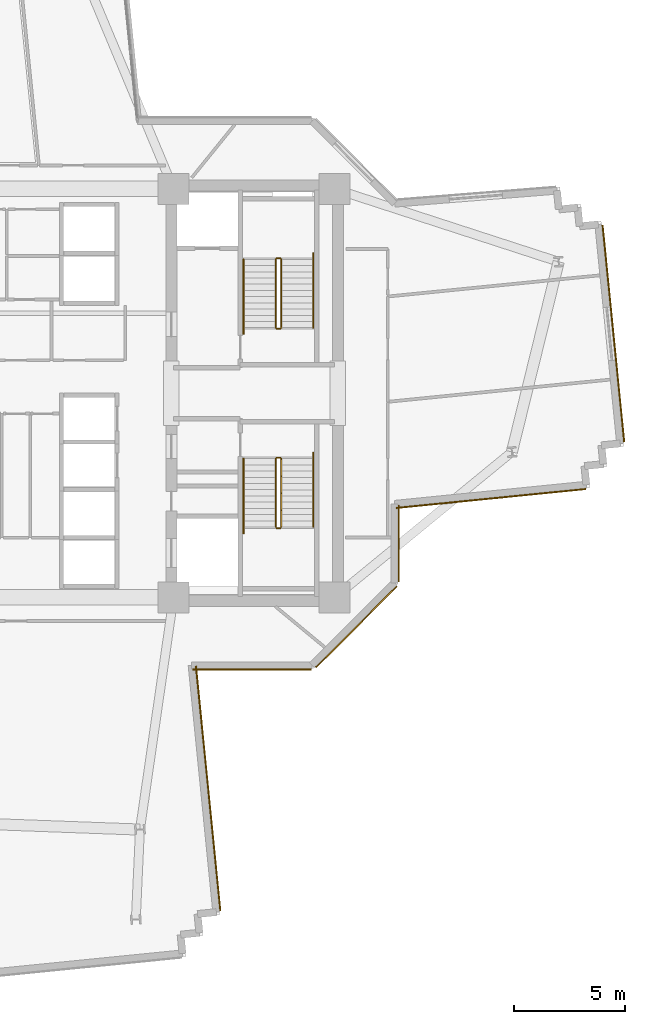
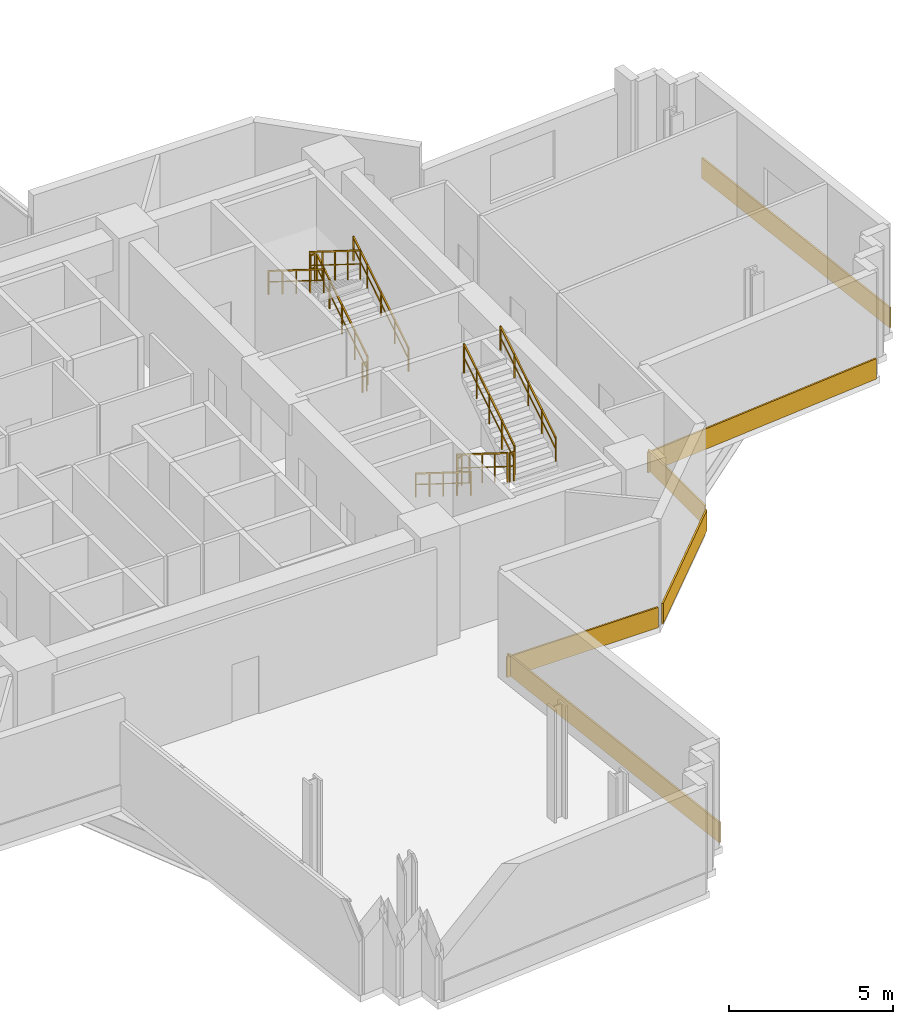
# One storey, part 13 of 14: 12 railings, 6 coverings.
"""IFC4 building model written with IfcOpenShell, lengths in metres."""

from ifc_helpers import new_model, si_unit, direction, frame, origin, origin_2d, place, context, subcontext, project, spatial, rectangle, extrude, source, transform, mapped, material, layer, layer_set, type_object, element, save


model = new_model("IFC4")

# Units and contexts
model_context = context("Model", 3, precision=1e-05, world=origin(), true_north=direction((0.0, 1.0)))
body_context = subcontext(model_context, "Body", "Model", "MODEL_VIEW")
ifc_project = project(units=[si_unit("LENGTHUNIT", "METRE"), si_unit("AREAUNIT", "SQUARE_METRE"), si_unit("VOLUMEUNIT", "CUBIC_METRE"), si_unit("PLANEANGLEUNIT", "RADIAN"), si_unit("MASSUNIT", "GRAM", prefix="KILO")], contexts=[model_context])

# Site, building, storey
site_placement = place(None, origin())
site = spatial("IfcSite", under=ifc_project, at=site_placement, CompositionType="ELEMENT")
building_placement = place(site_placement, origin())
building = spatial("IfcBuilding", under=site, at=building_placement, Name="Zahravan Cultural Tower", CompositionType="ELEMENT")
storey_placement = place(building_placement, frame((0.0, 0.0, 96.300048828125)))
storey = spatial("IfcBuildingStorey", under=building, at=storey_placement, Name="L21", CompositionType="ELEMENT", Elevation=96.300048828125)

# Railings
ifc_material_1 = material(Name="Steel ASTM A572 Grade 50", Category="steel")
railing_type_1 = type_object("IfcRailingType", Name="RL-STAIR-GRD1150", PredefinedType="BALUSTRADE", material=ifc_material_1)
railing_1_placement = place(storey_placement, frame((47.949951171875, 29.949951171875, 0.175048828125)))
element("IfcRailing", 1, at=railing_1_placement, inside=storey, type_object=railing_type_1, Name="L21 ST-E1 stair guard 1", PredefinedType="BALUSTRADE", context=body_context, shape_type="SweptSolid", body=[
    extrude(rectangle(XDim=0.05, YDim=0.05, at=origin_2d()), frame((0.0, 0.0, 1.0751953125), z_axis=(0.0, 0.848028513186, 0.529950602248), x_axis=(-1.0, 0.0, 0.0)), (0.0, 0.0, 1.0), 3.632080078125),
    extrude(rectangle(XDim=0.032, YDim=0.032, at=origin_2d()), frame((0.0, 0.0, 0.572021484375), z_axis=(0.0, 0.848028513186, 0.529950602248), x_axis=(-1.0, 0.0, 0.0)), (0.0, 0.0, 1.0), 3.632080078125),
    extrude(rectangle(XDim=0.04, YDim=0.04, at=origin_2d()), origin(), (0.0, 0.0, 1.0), 1.10009765625),
    extrude(rectangle(XDim=0.04, YDim=0.04, at=origin_2d()), frame((0.0, 0.77001953125, 0.481201171875)), (0.0, 0.0, 1.0), 1.10009765625),
    extrude(rectangle(XDim=0.04, YDim=0.04, at=origin_2d()), frame((0.0, 1.5400390625, 0.96240234375)), (0.0, 0.0, 1.0), 1.10009765625),
    extrude(rectangle(XDim=0.04, YDim=0.04, at=origin_2d()), frame((0.0, 2.31005859375, 1.443603515625)), (0.0, 0.0, 1.0), 1.10009765625),
    extrude(rectangle(XDim=0.04, YDim=0.04, at=origin_2d()), frame((0.0, 3.080078125, 1.9248046875)), (0.0, 0.0, 1.0), 1.10009765625),
])
railing_2_placement = place(storey_placement, frame((47.89990234375, 33.080078125, 2.099853515625)))
element("IfcRailing", 2, at=railing_2_placement, inside=storey, type_object=railing_type_1, Name="L21 ST-E1 stair guard 2", PredefinedType="BALUSTRADE", context=body_context, shape_type="SweptSolid", body=[
    extrude(rectangle(XDim=0.05, YDim=0.05, at=origin_2d()), frame((0.0, 0.0, 1.0751953125), z_axis=(-1.0, 0.0, 0.0), x_axis=(0.0, -1.0, 0.0)), (0.0, 0.0, 1.0), 0.14990234375),
    extrude(rectangle(XDim=0.032, YDim=0.032, at=origin_2d()), frame((0.0, 0.0, 0.572021484375), z_axis=(-1.0, 0.0, 0.0), x_axis=(0.0, -1.0, 0.0)), (0.0, 0.0, 1.0), 0.14990234375),
    extrude(rectangle(XDim=0.04, YDim=0.04, at=origin_2d()), origin(), (0.0, 0.0, 1.0), 1.10009765625),
    extrude(rectangle(XDim=0.04, YDim=0.04, at=origin_2d()), frame((-0.14990234375, 0.0, 0.0)), (0.0, 0.0, 1.0), 1.10009765625),
])
railing_3_placement = place(storey_placement, frame((47.699951171875, 33.030029296875, 2.27490234375)))
element("IfcRailing", 3, at=railing_3_placement, inside=storey, type_object=railing_type_1, Name="L21 ST-E1 stair guard 3", PredefinedType="BALUSTRADE", context=body_context, shape_type="SweptSolid", body=[
    extrude(rectangle(XDim=0.05, YDim=0.05, at=origin_2d()), frame((0.0, 0.0, 1.0751953125), z_axis=(0.0, -0.847998304005, 0.529998940003), x_axis=(1.0, 0.0, 0.0)), (0.0, 0.0, 1.0), 3.632080078125),
    extrude(rectangle(XDim=0.032, YDim=0.032, at=origin_2d()), frame((0.0, 0.0, 0.572021484375), z_axis=(0.0, -0.847998304005, 0.529998940003), x_axis=(1.0, 0.0, 0.0)), (0.0, 0.0, 1.0), 3.632080078125),
    extrude(rectangle(XDim=0.04, YDim=0.04, at=origin_2d()), origin(), (0.0, 0.0, 1.0), 1.10009765625),
    extrude(rectangle(XDim=0.04, YDim=0.04, at=origin_2d()), frame((0.0, -0.77001953125, 0.481201171875)), (0.0, 0.0, 1.0), 1.10009765625),
    extrude(rectangle(XDim=0.04, YDim=0.04, at=origin_2d()), frame((0.0, -1.5400390625, 0.96240234375)), (0.0, 0.0, 1.0), 1.10009765625),
    extrude(rectangle(XDim=0.04, YDim=0.04, at=origin_2d()), frame((0.0, -2.31005859375, 1.44384765625)), (0.0, 0.0, 1.0), 1.10009765625),
    extrude(rectangle(XDim=0.04, YDim=0.04, at=origin_2d()), frame((0.0, -3.080078125, 1.925048828125)), (0.0, 0.0, 1.0), 1.10009765625),
])
railing_4_placement = place(storey_placement, frame((47.89990234375, 29.89990234375, 0.0)))
element("IfcRailing", 4, at=railing_4_placement, inside=storey, type_object=railing_type_1, Name="L21 ST-E1 stair guard 4", PredefinedType="BALUSTRADE", context=body_context, shape_type="SweptSolid", body=[
    extrude(rectangle(XDim=0.05, YDim=0.05, at=origin_2d()), frame((0.0, 0.0, 1.0751953125), z_axis=(-1.0, 0.0, 0.0), x_axis=(0.0, -1.0, 0.0)), (0.0, 0.0, 1.0), 0.14990234375),
    extrude(rectangle(XDim=0.032, YDim=0.032, at=origin_2d()), frame((0.0, 0.0, 0.572021484375), z_axis=(-1.0, 0.0, 0.0), x_axis=(0.0, -1.0, 0.0)), (0.0, 0.0, 1.0), 0.14990234375),
    extrude(rectangle(XDim=0.04, YDim=0.04, at=origin_2d()), origin(), (0.0, 0.0, 1.0), 1.10009765625),
    extrude(rectangle(XDim=0.04, YDim=0.04, at=origin_2d()), frame((-0.14990234375, 0.0, 0.0)), (0.0, 0.0, 1.0), 1.10009765625),
])
railing_5_placement = place(storey_placement, frame((47.699951171875, 24.050048828125, 0.175048828125)))
element("IfcRailing", 5, at=railing_5_placement, inside=storey, type_object=railing_type_1, Name="L21 ST-E2 stair guard 1", PredefinedType="BALUSTRADE", context=body_context, shape_type="SweptSolid", body=[
    extrude(rectangle(XDim=0.05, YDim=0.05, at=origin_2d()), frame((0.0, 0.0, 1.0751953125), z_axis=(0.0, -0.848028513186, 0.529950602248), x_axis=(1.0, 0.0, 0.0)), (0.0, 0.0, 1.0), 3.632080078125),
    extrude(rectangle(XDim=0.032, YDim=0.032, at=origin_2d()), frame((0.0, 0.0, 0.572021484375), z_axis=(0.0, -0.848028513186, 0.529950602248), x_axis=(1.0, 0.0, 0.0)), (0.0, 0.0, 1.0), 3.632080078125),
    extrude(rectangle(XDim=0.04, YDim=0.04, at=origin_2d()), origin(), (0.0, 0.0, 1.0), 1.10009765625),
    extrude(rectangle(XDim=0.04, YDim=0.04, at=origin_2d()), frame((0.0, -0.77001953125, 0.481201171875)), (0.0, 0.0, 1.0), 1.10009765625),
    extrude(rectangle(XDim=0.04, YDim=0.04, at=origin_2d()), frame((0.0, -1.5400390625, 0.96240234375)), (0.0, 0.0, 1.0), 1.10009765625),
    extrude(rectangle(XDim=0.04, YDim=0.04, at=origin_2d()), frame((0.0, -2.31005859375, 1.443603515625)), (0.0, 0.0, 1.0), 1.10009765625),
    extrude(rectangle(XDim=0.04, YDim=0.04, at=origin_2d()), frame((0.0, -3.080078125, 1.9248046875)), (0.0, 0.0, 1.0), 1.10009765625),
])
railing_6_placement = place(storey_placement, frame((47.75, 20.919921875, 2.099853515625)))
element("IfcRailing", 6, at=railing_6_placement, inside=storey, type_object=railing_type_1, Name="L21 ST-E2 stair guard 2", PredefinedType="BALUSTRADE", context=body_context, shape_type="SweptSolid", body=[
    extrude(rectangle(XDim=0.05, YDim=0.05, at=origin_2d()), frame((0.0, 0.0, 1.0751953125), z_axis=(1.0, 0.0, 0.0), x_axis=(0.0, 1.0, 0.0)), (0.0, 0.0, 1.0), 0.14990234375),
    extrude(rectangle(XDim=0.032, YDim=0.032, at=origin_2d()), frame((0.0, 0.0, 0.572021484375), z_axis=(1.0, 0.0, 0.0), x_axis=(0.0, 1.0, 0.0)), (0.0, 0.0, 1.0), 0.14990234375),
    extrude(rectangle(XDim=0.04, YDim=0.04, at=origin_2d()), origin(), (0.0, 0.0, 1.0), 1.10009765625),
    extrude(rectangle(XDim=0.04, YDim=0.04, at=origin_2d()), frame((0.14990234375, 0.0, 0.0)), (0.0, 0.0, 1.0), 1.10009765625),
])
railing_7_placement = place(storey_placement, frame((47.949951171875, 20.969970703125, 2.27490234375)))
element("IfcRailing", 7, at=railing_7_placement, inside=storey, type_object=railing_type_1, Name="L21 ST-E2 stair guard 3", PredefinedType="BALUSTRADE", context=body_context, shape_type="SweptSolid", body=[
    extrude(rectangle(XDim=0.05, YDim=0.05, at=origin_2d()), frame((0.0, 0.0, 1.0751953125), z_axis=(0.0, 0.847998304005, 0.529998940003), x_axis=(-1.0, 0.0, 0.0)), (0.0, 0.0, 1.0), 3.632080078125),
    extrude(rectangle(XDim=0.032, YDim=0.032, at=origin_2d()), frame((0.0, 0.0, 0.572021484375), z_axis=(0.0, 0.847998304005, 0.529998940003), x_axis=(-1.0, 0.0, 0.0)), (0.0, 0.0, 1.0), 3.632080078125),
    extrude(rectangle(XDim=0.04, YDim=0.04, at=origin_2d()), origin(), (0.0, 0.0, 1.0), 1.10009765625),
    extrude(rectangle(XDim=0.04, YDim=0.04, at=origin_2d()), frame((0.0, 0.77001953125, 0.481201171875)), (0.0, 0.0, 1.0), 1.10009765625),
    extrude(rectangle(XDim=0.04, YDim=0.04, at=origin_2d()), frame((0.0, 1.5400390625, 0.96240234375)), (0.0, 0.0, 1.0), 1.10009765625),
    extrude(rectangle(XDim=0.04, YDim=0.04, at=origin_2d()), frame((0.0, 2.31005859375, 1.44384765625)), (0.0, 0.0, 1.0), 1.10009765625),
    extrude(rectangle(XDim=0.04, YDim=0.04, at=origin_2d()), frame((0.0, 3.080078125, 1.925048828125)), (0.0, 0.0, 1.0), 1.10009765625),
])
railing_8_placement = place(storey_placement, frame((47.75, 24.10009765625, 0.0)))
element("IfcRailing", 8, at=railing_8_placement, inside=storey, type_object=railing_type_1, Name="L21 ST-E2 stair guard 4", PredefinedType="BALUSTRADE", context=body_context, shape_type="SweptSolid", body=[
    extrude(rectangle(XDim=0.05, YDim=0.05, at=origin_2d()), frame((0.0, 0.0, 1.0751953125), z_axis=(1.0, 0.0, 0.0), x_axis=(0.0, 1.0, 0.0)), (0.0, 0.0, 1.0), 0.14990234375),
    extrude(rectangle(XDim=0.032, YDim=0.032, at=origin_2d()), frame((0.0, 0.0, 0.572021484375), z_axis=(1.0, 0.0, 0.0), x_axis=(0.0, 1.0, 0.0)), (0.0, 0.0, 1.0), 0.14990234375),
    extrude(rectangle(XDim=0.04, YDim=0.04, at=origin_2d()), origin(), (0.0, 0.0, 1.0), 1.10009765625),
    extrude(rectangle(XDim=0.04, YDim=0.04, at=origin_2d()), frame((0.14990234375, 0.0, 0.0)), (0.0, 0.0, 1.0), 1.10009765625),
])
railing_type_2 = type_object("IfcRailingType", Name="RL-STAIR-HR900", PredefinedType="HANDRAIL", material=ifc_material_1)
railing_9_placement = place(storey_placement, frame((49.39990234375, 29.949951171875, 0.175048828125)))
element("IfcRailing", 9, at=railing_9_placement, inside=storey, type_object=railing_type_2, Name="L21 ST-E1 stair handrail 1", PredefinedType="HANDRAIL", context=body_context, shape_type="SweptSolid", body=[
    extrude(rectangle(XDim=0.05, YDim=0.05, at=origin_2d()), frame((0.0, 0.0, 0.875), z_axis=(0.0, 0.848022534174, 0.529960169762), x_axis=(-1.0, 0.0, 0.0)), (0.0, 0.0, 1.0), 3.96240234375),
    extrude(rectangle(XDim=0.032, YDim=0.032, at=origin_2d()), frame((0.0, 0.0, 0.468017578125), z_axis=(0.0, 0.848022534174, 0.529960169762), x_axis=(-1.0, 0.0, 0.0)), (0.0, 0.0, 1.0), 3.96240234375),
    extrude(rectangle(XDim=0.04, YDim=0.04, at=origin_2d()), origin(), (0.0, 0.0, 1.0), 0.89990234375),
    extrude(rectangle(XDim=0.04, YDim=0.04, at=origin_2d()), frame((0.0, 0.840087890625, 0.52490234375)), (0.0, 0.0, 1.0), 0.89990234375),
    extrude(rectangle(XDim=0.04, YDim=0.04, at=origin_2d()), frame((0.0, 1.68017578125, 1.0498046875)), (0.0, 0.0, 1.0), 0.89990234375),
    extrude(rectangle(XDim=0.04, YDim=0.04, at=origin_2d()), frame((0.0, 2.52001953125, 1.574951171875)), (0.0, 0.0, 1.0), 0.89990234375),
    extrude(rectangle(XDim=0.04, YDim=0.04, at=origin_2d()), frame((0.0, 3.360107421875, 2.099853515625)), (0.0, 0.0, 1.0), 0.89990234375),
])
railing_10_placement = place(storey_placement, frame((46.25, 33.030029296875, 2.27490234375)))
element("IfcRailing", 10, at=railing_10_placement, inside=storey, type_object=railing_type_2, Name="L21 ST-E1 stair handrail 2", PredefinedType="HANDRAIL", context=body_context, shape_type="SweptSolid", body=[
    extrude(rectangle(XDim=0.05, YDim=0.05, at=origin_2d()), frame((0.0, 0.0, 0.875), z_axis=(0.0, -0.847994842521, 0.530004478338), x_axis=(1.0, 0.0, 0.0)), (0.0, 0.0, 1.0), 3.96240234375),
    extrude(rectangle(XDim=0.032, YDim=0.032, at=origin_2d()), frame((0.0, 0.0, 0.468017578125), z_axis=(0.0, -0.847994842521, 0.530004478338), x_axis=(1.0, 0.0, 0.0)), (0.0, 0.0, 1.0), 3.96240234375),
    extrude(rectangle(XDim=0.04, YDim=0.04, at=origin_2d()), origin(), (0.0, 0.0, 1.0), 0.89990234375),
    extrude(rectangle(XDim=0.04, YDim=0.04, at=origin_2d()), frame((0.0, -0.840087890625, 0.52490234375)), (0.0, 0.0, 1.0), 0.89990234375),
    extrude(rectangle(XDim=0.04, YDim=0.04, at=origin_2d()), frame((0.0, -1.68017578125, 1.050048828125)), (0.0, 0.0, 1.0), 0.89990234375),
    extrude(rectangle(XDim=0.04, YDim=0.04, at=origin_2d()), frame((0.0, -2.52001953125, 1.5751953125)), (0.0, 0.0, 1.0), 0.89990234375),
    extrude(rectangle(XDim=0.04, YDim=0.04, at=origin_2d()), frame((0.0, -3.360107421875, 2.10009765625)), (0.0, 0.0, 1.0), 0.89990234375),
])
railing_11_placement = place(storey_placement, frame((46.25, 24.050048828125, 0.175048828125)))
element("IfcRailing", 11, at=railing_11_placement, inside=storey, type_object=railing_type_2, Name="L21 ST-E2 stair handrail 1", PredefinedType="HANDRAIL", context=body_context, shape_type="SweptSolid", body=[
    extrude(rectangle(XDim=0.05, YDim=0.05, at=origin_2d()), frame((0.0, 0.0, 0.875), z_axis=(0.0, -0.848022534174, 0.529960169762), x_axis=(1.0, 0.0, 0.0)), (0.0, 0.0, 1.0), 3.96240234375),
    extrude(rectangle(XDim=0.032, YDim=0.032, at=origin_2d()), frame((0.0, 0.0, 0.468017578125), z_axis=(0.0, -0.848022534174, 0.529960169762), x_axis=(1.0, 0.0, 0.0)), (0.0, 0.0, 1.0), 3.96240234375),
    extrude(rectangle(XDim=0.04, YDim=0.04, at=origin_2d()), origin(), (0.0, 0.0, 1.0), 0.89990234375),
    extrude(rectangle(XDim=0.04, YDim=0.04, at=origin_2d()), frame((0.0, -0.840087890625, 0.52490234375)), (0.0, 0.0, 1.0), 0.89990234375),
    extrude(rectangle(XDim=0.04, YDim=0.04, at=origin_2d()), frame((0.0, -1.68017578125, 1.0498046875)), (0.0, 0.0, 1.0), 0.89990234375),
    extrude(rectangle(XDim=0.04, YDim=0.04, at=origin_2d()), frame((0.0, -2.52001953125, 1.574951171875)), (0.0, 0.0, 1.0), 0.89990234375),
    extrude(rectangle(XDim=0.04, YDim=0.04, at=origin_2d()), frame((0.0, -3.360107421875, 2.099853515625)), (0.0, 0.0, 1.0), 0.89990234375),
])
railing_12_placement = place(storey_placement, frame((49.39990234375, 20.969970703125, 2.27490234375)))
element("IfcRailing", 12, at=railing_12_placement, inside=storey, type_object=railing_type_2, Name="L21 ST-E2 stair handrail 2", PredefinedType="HANDRAIL", context=body_context, shape_type="SweptSolid", body=[
    extrude(rectangle(XDim=0.05, YDim=0.05, at=origin_2d()), frame((0.0, 0.0, 0.875), z_axis=(0.0, 0.847994842521, 0.530004478338), x_axis=(-1.0, 0.0, 0.0)), (0.0, 0.0, 1.0), 3.96240234375),
    extrude(rectangle(XDim=0.032, YDim=0.032, at=origin_2d()), frame((0.0, 0.0, 0.468017578125), z_axis=(0.0, 0.847994842521, 0.530004478338), x_axis=(-1.0, 0.0, 0.0)), (0.0, 0.0, 1.0), 3.96240234375),
    extrude(rectangle(XDim=0.04, YDim=0.04, at=origin_2d()), origin(), (0.0, 0.0, 1.0), 0.89990234375),
    extrude(rectangle(XDim=0.04, YDim=0.04, at=origin_2d()), frame((0.0, 0.840087890625, 0.52490234375)), (0.0, 0.0, 1.0), 0.89990234375),
    extrude(rectangle(XDim=0.04, YDim=0.04, at=origin_2d()), frame((0.0, 1.68017578125, 1.050048828125)), (0.0, 0.0, 1.0), 0.89990234375),
    extrude(rectangle(XDim=0.04, YDim=0.04, at=origin_2d()), frame((0.0, 2.52001953125, 1.5751953125)), (0.0, 0.0, 1.0), 0.89990234375),
    extrude(rectangle(XDim=0.04, YDim=0.04, at=origin_2d()), frame((0.0, 3.360107421875, 2.10009765625)), (0.0, 0.0, 1.0), 0.89990234375),
])

# Coverings
ifc_material_2 = material(Name="Terracotta ceramic cladding", Category="masonry")
ifc_layer = layer(ifc_material_2, 0.06005859375)
ifc_layer_set = layer_set([ifc_layer], Name="Terracotta ceramic cladding")
covering_type = type_object("IfcCoveringType", Name="COV-CLAD-TC60", PredefinedType="CLADDING", material=ifc_layer_set)
shared_shape_1 = source(origin(), body_context, "Body", "SweptSolid", [
    extrude(rectangle(XDim=9.820068359375, YDim=0.06005859375, at=origin_2d()), origin(), (0.0, 0.0, 1.0), 0.760009765625),
])
covering_1_placement = place(storey_placement, frame((62.911376953125, 29.68603515625, 0.02001953125), z_axis=(0.0, 0.0, 1.0), x_axis=(0.099319749744, -0.995055569961, 0.0)))
element("IfcCovering", 13, at=covering_1_placement, inside=storey, type_object=covering_type, Name="L21 Terracotta Spandrel Cladding 32", PredefinedType="CLADDING", context=body_context, shape_type="MappedRepresentation", body=[
    mapped(shared_shape_1, transform((0.0, 0.0, 0.0), x_axis=(1.0, 0.0, 0.0), y_axis=(0.0, 1.0, 0.0), z_axis=(0.0, 0.0, 1.0), scale=1.0)),
])
shared_shape_2 = source(origin(), body_context, "Body", "SweptSolid", [
    extrude(rectangle(XDim=5.157958984375, YDim=0.06005859375, at=origin_2d()), origin(), (0.0, 0.0, 1.0), 0.760009765625),
])
covering_2_placement = place(storey_placement, frame((51.331787109375, 16.46826171875, 0.02001953125), z_axis=(0.0, 0.0, 1.0), x_axis=(-0.707106781187, -0.707106781187, 0.0)))
element("IfcCovering", 14, at=covering_2_placement, inside=storey, type_object=covering_type, Name="L21 Terracotta Spandrel Cladding 39", PredefinedType="CLADDING", context=body_context, shape_type="MappedRepresentation", body=[
    mapped(shared_shape_2, transform((0.0, 0.0, 0.0), x_axis=(1.0, 0.0, 0.0), y_axis=(0.0, 1.0, 0.0), z_axis=(0.0, 0.0, 1.0), scale=1.0)),
])
shared_shape_3 = source(origin(), body_context, "Body", "SweptSolid", [
    extrude(rectangle(XDim=8.580078125, YDim=0.06005859375, at=origin_2d()), origin(), (0.0, 0.0, 1.0), 0.760009765625),
])
covering_3_placement = place(storey_placement, frame((57.39697265625, 22.256591796875, 0.02001953125), z_axis=(0.0, 0.0, 1.0), x_axis=(-0.995055569961, -0.099319749744, 0.0)))
element("IfcCovering", 15, at=covering_3_placement, inside=storey, type_object=covering_type, Name="L21 Terracotta Spandrel Cladding 37", PredefinedType="CLADDING", context=body_context, shape_type="MappedRepresentation", body=[
    mapped(shared_shape_3, transform((0.0, 0.0, 0.0), x_axis=(1.0, 0.0, 0.0), y_axis=(0.0, 1.0, 0.0), z_axis=(0.0, 0.0, 1.0), scale=1.0)),
])
shared_shape_4 = source(origin(), body_context, "Body", "SweptSolid", [
    extrude(rectangle(XDim=3.45166015625, YDim=0.06005859375, at=origin_2d()), origin(), (0.0, 0.0, 1.0), 0.760009765625),
])
covering_4_placement = place(storey_placement, frame((53.2451171875, 20.23388671875, 0.02001953125), z_axis=(0.0, 0.0, 1.0), x_axis=(0.0, -1.0, 0.0)))
element("IfcCovering", 16, at=covering_4_placement, inside=storey, type_object=covering_type, Name="L21 Terracotta Spandrel Cladding 38", PredefinedType="CLADDING", context=body_context, shape_type="MappedRepresentation", body=[
    mapped(shared_shape_4, transform((0.0, 0.0, 0.0), x_axis=(1.0, 0.0, 0.0), y_axis=(0.0, 1.0, 0.0), z_axis=(0.0, 0.0, 1.0), scale=1.0)),
])
shared_shape_5 = source(origin(), body_context, "Body", "SweptSolid", [
    extrude(rectangle(XDim=5.3251953125, YDim=0.06005859375, at=origin_2d()), origin(), (0.0, 0.0, 1.0), 0.760009765625),
])
covering_5_placement = place(storey_placement, frame((46.62939453125, 14.554931640625, 0.02001953125), z_axis=(0.0, 0.0, 1.0), x_axis=(-1.0, 0.0, 0.0)))
element("IfcCovering", 17, at=covering_5_placement, inside=storey, type_object=covering_type, Name="L21 Terracotta Spandrel Cladding 40", PredefinedType="CLADDING", context=body_context, shape_type="MappedRepresentation", body=[
    mapped(shared_shape_5, transform((0.0, 0.0, 0.0), x_axis=(1.0, 0.0, 0.0), y_axis=(0.0, 1.0, 0.0), z_axis=(0.0, 0.0, 1.0), scale=1.0)),
])
shared_shape_6 = source(origin(), body_context, "Body", "SweptSolid", [
    extrude(rectangle(XDim=11.07421875, YDim=0.06005859375, at=origin_2d()), origin(), (0.0, 0.0, 1.0), 0.760009765625),
])
covering_6_placement = place(storey_placement, frame((44.65576171875, 9.19873046875, 0.02001953125), z_axis=(0.0, 0.0, 1.0), x_axis=(0.099319749744, -0.995055569961, 0.0)))
element("IfcCovering", 18, at=covering_6_placement, inside=storey, type_object=covering_type, Name="L21 Terracotta Spandrel Cladding 41", PredefinedType="CLADDING", context=body_context, shape_type="MappedRepresentation", body=[
    mapped(shared_shape_6, transform((0.0, 0.0, 0.0), x_axis=(1.0, 0.0, 0.0), y_axis=(0.0, 1.0, 0.0), z_axis=(0.0, 0.0, 1.0), scale=1.0)),
])

save(model, "model.ifc")
